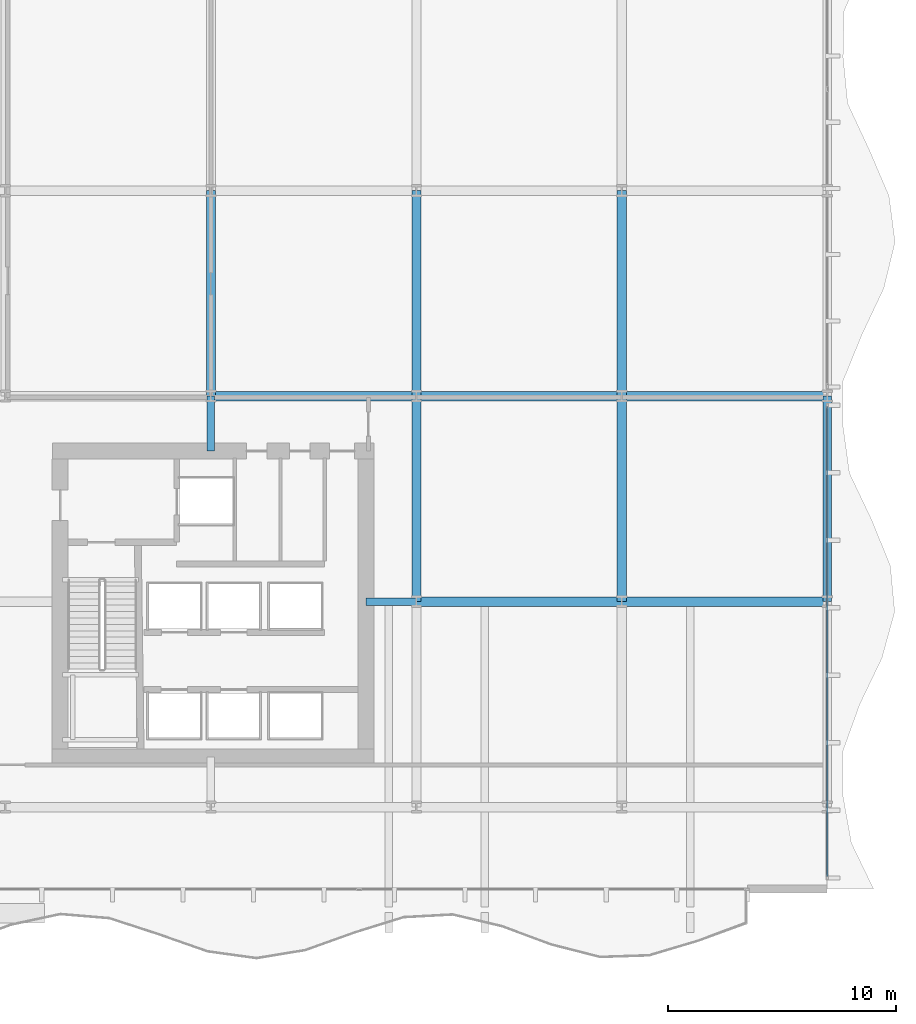
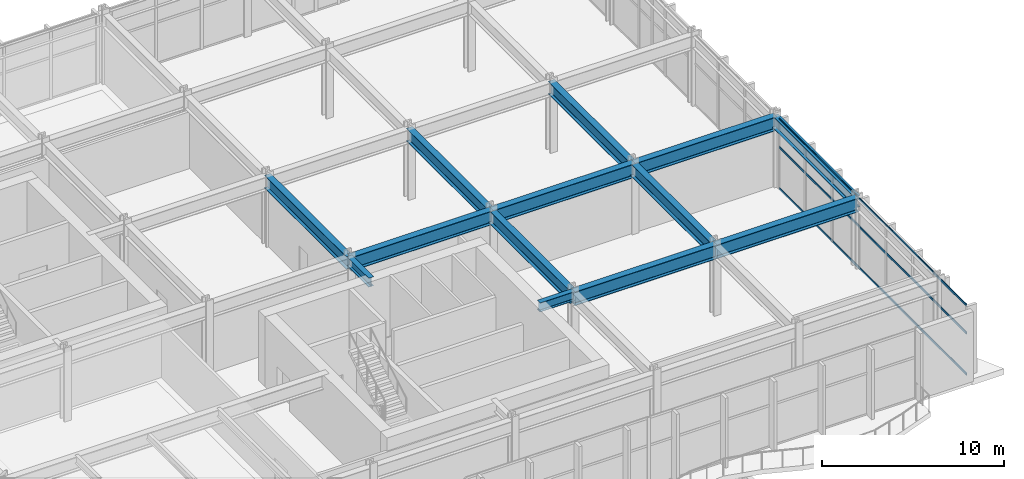
# One storey, part 10 of 28: 13 beams, 3 members, 1 element without a shape of its own.
"""IFC4 building model written with IfcOpenShell, lengths in metres."""

from ifc_helpers import new_model, si_unit, direction, frame, origin, origin_2d, place, context, subcontext, project, spatial, hollow_rectangle, i_section, extrude, material, layer, layer_set, material_profile, profile_set, type_object, element, aggregate, save


model = new_model("IFC4")

# Units and contexts
model_context = context("Model", 3, precision=1e-05, world=origin(), true_north=direction((0.0, 1.0)))
body_context = subcontext(model_context, "Body", "Model", "MODEL_VIEW")
ifc_project = project(units=[si_unit("LENGTHUNIT", "METRE"), si_unit("AREAUNIT", "SQUARE_METRE"), si_unit("VOLUMEUNIT", "CUBIC_METRE"), si_unit("PLANEANGLEUNIT", "RADIAN"), si_unit("MASSUNIT", "GRAM", prefix="KILO")], contexts=[model_context])

# Site, building, storey
site_placement = place(None, origin())
site = spatial("IfcSite", under=ifc_project, at=site_placement, CompositionType="ELEMENT")
building_placement = place(site_placement, origin())
building = spatial("IfcBuilding", under=site, at=building_placement, Name="Solvaryn Broadcast Tower", CompositionType="ELEMENT")
storey_placement = place(building_placement, frame((0.0, 0.0, 16.199951171875)))
storey = spatial("IfcBuildingStorey", under=building, at=storey_placement, Name="L03", CompositionType="ELEMENT", Elevation=16.199951171875)

# Beams
ifc_material_1 = material(Name="Steel ASTM A992 Grade 50", Category="steel")
ifc_material_profile_1 = material_profile(ifc_material_1, i_section(OverallWidth=0.323974609375, OverallDepth=0.611083984375, WebThickness=0.0126953125, FlangeThickness=0.01904296875, FilletRadius=0.014892578125, at=origin_2d()))
ifc_profile_set_1 = profile_set([ifc_material_profile_1], Name="Steel ASTM A992 Grade 50")
beam_type_1 = type_object("IfcBeamType", Name="BM-B1-W24X104", PredefinedType="BEAM", material=ifc_profile_set_1)
beam_1_placement = place(storey_placement, frame((36.0, 24.60009765625, 4.37451171875), z_axis=(0.0, 1.0, 0.0), x_axis=(-1.0, 0.0, 0.0)))
element("IfcBeam", 1, at=beam_1_placement, inside=storey, type_object=beam_type_1, Name="L03 Core Tie Beam CTE2", PredefinedType="BEAM", context=body_context, shape_type="SweptSolid", body=[
    extrude(i_section(OverallWidth=0.323974609375, OverallDepth=0.611083984375, WebThickness=0.0126953125, FlangeThickness=0.01904296875, FilletRadius=0.014892578125, at=origin_2d()), origin(), (0.0, 0.0, 1.0), 2.39990234375),
])
beam_2_placement = place(storey_placement, frame((42.800048828125, 18.0, 4.37451171875), z_axis=(1.0, 0.0, 0.0), x_axis=(0.0, 1.0, 0.0)))
element("IfcBeam", 2, at=beam_2_placement, inside=storey, type_object=beam_type_1, Name="L03 Core Tie Beam CTE3", PredefinedType="BEAM", context=body_context, shape_type="SweptSolid", body=[
    extrude(i_section(OverallWidth=0.323974609375, OverallDepth=0.611083984375, WebThickness=0.0126953125, FlangeThickness=0.01904296875, FilletRadius=0.014892578125, at=origin_2d()), origin(), (0.0, 0.0, 1.0), 2.199951171875),
])
ifc_material_2 = material(Name="Steel ASTM A992 Grade 50", Category="steel")
ifc_material_profile_2 = material_profile(ifc_material_2, i_section(OverallWidth=0.41796875, OverallDepth=0.927001953125, WebThickness=0.019287109375, FlangeThickness=0.031982421875, FilletRadius=0.02392578125, at=origin_2d()))
ifc_profile_set_2 = profile_set([ifc_material_profile_2], Name="Steel ASTM A992 Grade 50")
beam_type_2 = type_object("IfcBeamType", Name="BM-G2-W36X231", PredefinedType="BEAM", material=ifc_profile_set_2)
for number, where, z_axis, x_axis, name in (
    (3, (45.0, 18.0, 4.216552734375), (1.0, 0.0, 0.0), (0.0, 1.0, 0.0), "L03 Primary Beam X (45-54 @ Y=18)"),
    (4, (54.0, 18.0, 4.216552734375), (1.0, 0.0, 0.0), (0.0, 1.0, 0.0), "L03 Primary Beam X (54-63 @ Y=18)"),
    (5, (36.0, 27.0, 4.216552734375), (1.0, 0.0, 0.0), (0.0, 1.0, 0.0), "L03 Primary Beam X (36-45 @ Y=27)"),
    (6, (45.0, 27.0, 4.216552734375), (1.0, 0.0, 0.0), (0.0, 1.0, 0.0), "L03 Primary Beam X (45-54 @ Y=27)"),
    (7, (54.0, 27.0, 4.216552734375), (1.0, 0.0, 0.0), (0.0, 1.0, 0.0), "L03 Primary Beam X (54-63 @ Y=27)"),
):
    element("IfcBeam", number, at=place(storey_placement, frame(where, z_axis=z_axis, x_axis=x_axis)), inside=storey, type_object=beam_type_2, Name=name, PredefinedType="BEAM", context=body_context, shape_type="SweptSolid", body=[
        extrude(i_section(OverallWidth=0.41796875, OverallDepth=0.927001953125, WebThickness=0.019287109375, FlangeThickness=0.031982421875, FilletRadius=0.02392578125, at=origin_2d()), origin(), (0.0, 0.0, 1.0), 9.0),
    ])
ifc_material_3 = material(Name="Steel ASTM A992 Grade 50", Category="steel")
ifc_material_profile_3 = material_profile(ifc_material_3, i_section(OverallWidth=0.39990234375, OverallDepth=0.85498046875, WebThickness=0.018310546875, FlangeThickness=0.029296875, FilletRadius=0.02001953125, at=origin_2d()))
ifc_profile_set_3 = profile_set([ifc_material_profile_3], Name="Steel ASTM A992 Grade 50")
beam_type_3 = type_object("IfcBeamType", Name="BM-G3-W33X201", PredefinedType="BEAM", material=ifc_profile_set_3)
for number, where, z_axis, x_axis, name in (
    (8, (36.0, 27.0, 4.25244140625), (0.0, 1.0, 0.0), (-1.0, 0.0, 0.0), "L03 Primary Beam Y (27-36 @ X=36)"),
    (9, (45.0, 18.0, 4.25244140625), (0.0, 1.0, 0.0), (-1.0, 0.0, 0.0), "L03 Primary Beam Y (18-27 @ X=45)"),
    (10, (45.0, 27.0, 4.25244140625), (0.0, 1.0, 0.0), (-1.0, 0.0, 0.0), "L03 Primary Beam Y (27-36 @ X=45)"),
    (11, (54.0, 18.0, 4.25244140625), (0.0, 1.0, 0.0), (-1.0, 0.0, 0.0), "L03 Primary Beam Y (18-27 @ X=54)"),
    (12, (54.0, 27.0, 4.25244140625), (0.0, 1.0, 0.0), (-1.0, 0.0, 0.0), "L03 Primary Beam Y (27-36 @ X=54)"),
):
    element("IfcBeam", number, at=place(storey_placement, frame(where, z_axis=z_axis, x_axis=x_axis)), inside=storey, type_object=beam_type_3, Name=name, PredefinedType="BEAM", context=body_context, shape_type="SweptSolid", body=[
        extrude(i_section(OverallWidth=0.39990234375, OverallDepth=0.85498046875, WebThickness=0.018310546875, FlangeThickness=0.029296875, FilletRadius=0.02001953125, at=origin_2d()), origin(), (0.0, 0.0, 1.0), 9.0),
    ])
ifc_material_4 = material(Name="Steel ASTM A992 Grade 50", Category="steel")
ifc_material_profile_4 = material_profile(ifc_material_4, i_section(OverallWidth=0.381103515625, OverallDepth=0.77294921875, WebThickness=0.0166015625, FlangeThickness=0.027099609375, FilletRadius=0.01806640625, at=origin_2d()))
ifc_profile_set_4 = profile_set([ifc_material_profile_4], Name="Steel ASTM A992 Grade 50")
beam_type_4 = type_object("IfcBeamType", Name="BM-SP1-W30X173", PredefinedType="USERDEFINED", material=ifc_profile_set_4)
beam_3_placement = place(storey_placement, frame((63.0, 18.0, 4.29345703125), z_axis=(0.0, 1.0, 0.0), x_axis=(-1.0, 0.0, 0.0)))
element("IfcBeam", 13, at=beam_3_placement, inside=storey, type_object=beam_type_4, Name="L03 Spandrel Beam Y (18-27 @ X=63)", ObjectType="SPANDREL", PredefinedType="USERDEFINED", context=body_context, shape_type="SweptSolid", body=[
    extrude(i_section(OverallWidth=0.381103515625, OverallDepth=0.77294921875, WebThickness=0.0166015625, FlangeThickness=0.027099609375, FilletRadius=0.01806640625, at=origin_2d()), origin(), (0.0, 0.0, 1.0), 9.0),
])

# Curtain wall, members
ifc_material_5 = material(Name="Aluminium and Terracotta Unitised Curtain Wall", Category="masonry")
ifc_layer = layer(ifc_material_5, 0.219970703125)
ifc_layer_set = layer_set([ifc_layer], Name="CW-SYS1-PODIUM")
curtain_wall_type = type_object("IfcCurtainWallType", Name="CW-SYS1-PODIUM", PredefinedType="NOTDEFINED", material=ifc_layer_set)
curtain_wall_placement = place(storey_placement, origin())
curtain_wall = element("IfcCurtainWall", 14, at=curtain_wall_placement, inside=storey, type_object=curtain_wall_type, Name="L03 Podium Curtain Wall E2", PredefinedType="NOTDEFINED")
ifc_material_6 = material(Name="Anodised Aluminium 6063-T6", Category="aluminium")
ifc_material_profile_5 = material_profile(ifc_material_6, hollow_rectangle(XDim=0.06494140625, YDim=0.14990234375, WallThickness=0.00390625, InnerFilletRadius=0.00390625, OuterFilletRadius=0.008056640625, at=origin_2d()))
ifc_profile_set_5 = profile_set([ifc_material_profile_5], Name="Anodised Aluminium 6063-T6")
member_type = type_object("IfcMemberType", Name="CW-TRN-150", PredefinedType="USERDEFINED", material=ifc_profile_set_5)
member_1_placement = place(storey_placement, frame((63.0, 26.5400390625, 0.030029296875), z_axis=(0.0, -1.0, 0.0), x_axis=(1.0, 0.0, 0.0)))
member_1 = element("IfcMember", 15, at=member_1_placement, type_object=member_type, Name="CWS1 transom 1.1", ObjectType="TRANSOM", PredefinedType="USERDEFINED", context=body_context, shape_type="SweptSolid", body=[
    extrude(hollow_rectangle(XDim=0.06494140625, YDim=0.14990234375, WallThickness=0.00390625, InnerFilletRadius=0.00390625, OuterFilletRadius=0.008056640625, at=origin_2d()), origin(), (0.0, 0.0, 1.0), 20.580078125),
])
member_2_placement = place(storey_placement, frame((63.0, 26.5400390625, 2.800048828125), z_axis=(0.0, -1.0, 0.0), x_axis=(1.0, 0.0, 0.0)))
member_2 = element("IfcMember", 16, at=member_2_placement, type_object=member_type, Name="CWS1 transom 1.2", ObjectType="TRANSOM", PredefinedType="USERDEFINED", context=body_context, shape_type="SweptSolid", body=[
    extrude(hollow_rectangle(XDim=0.06494140625, YDim=0.14990234375, WallThickness=0.00390625, InnerFilletRadius=0.00390625, OuterFilletRadius=0.008056640625, at=origin_2d()), origin(), (0.0, 0.0, 1.0), 20.580078125),
])
member_3_placement = place(storey_placement, frame((63.0, 26.5400390625, 4.650146484375), z_axis=(0.0, -1.0, 0.0), x_axis=(1.0, 0.0, 0.0)))
member_3 = element("IfcMember", 17, at=member_3_placement, type_object=member_type, Name="CWS1 transom 1.3", ObjectType="TRANSOM", PredefinedType="USERDEFINED", context=body_context, shape_type="SweptSolid", body=[
    extrude(hollow_rectangle(XDim=0.06494140625, YDim=0.14990234375, WallThickness=0.00390625, InnerFilletRadius=0.00390625, OuterFilletRadius=0.008056640625, at=origin_2d()), origin(), (0.0, 0.0, 1.0), 20.580078125),
])
aggregate(curtain_wall, [member_1, member_2, member_3])

save(model, "model.ifc")
